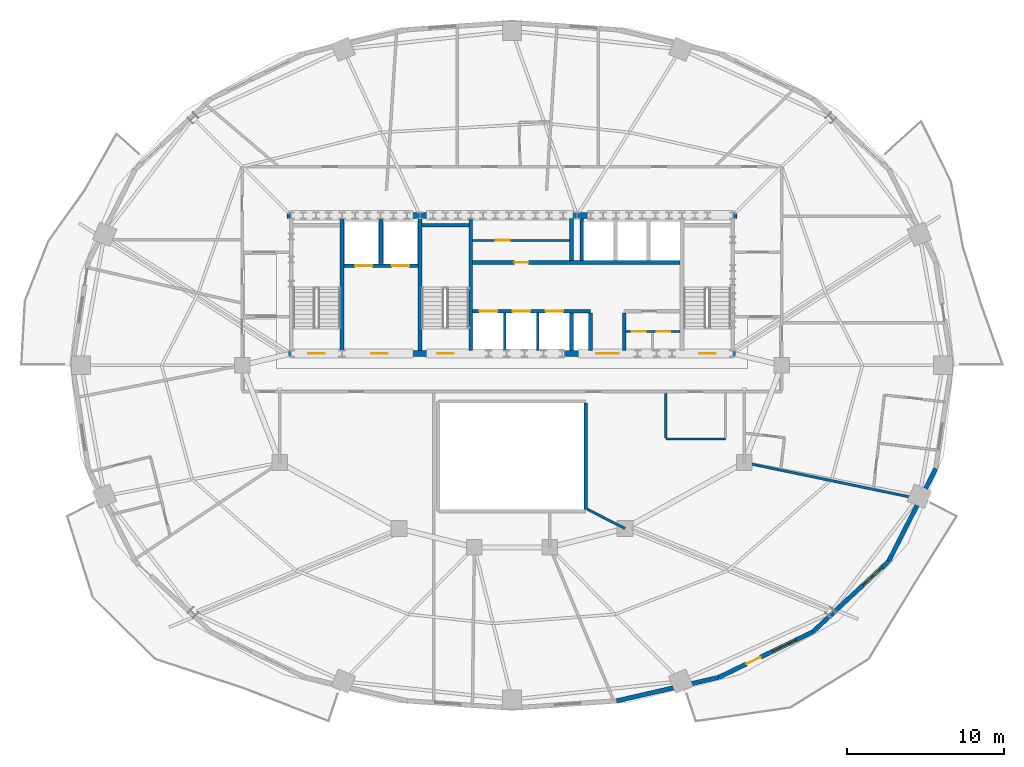
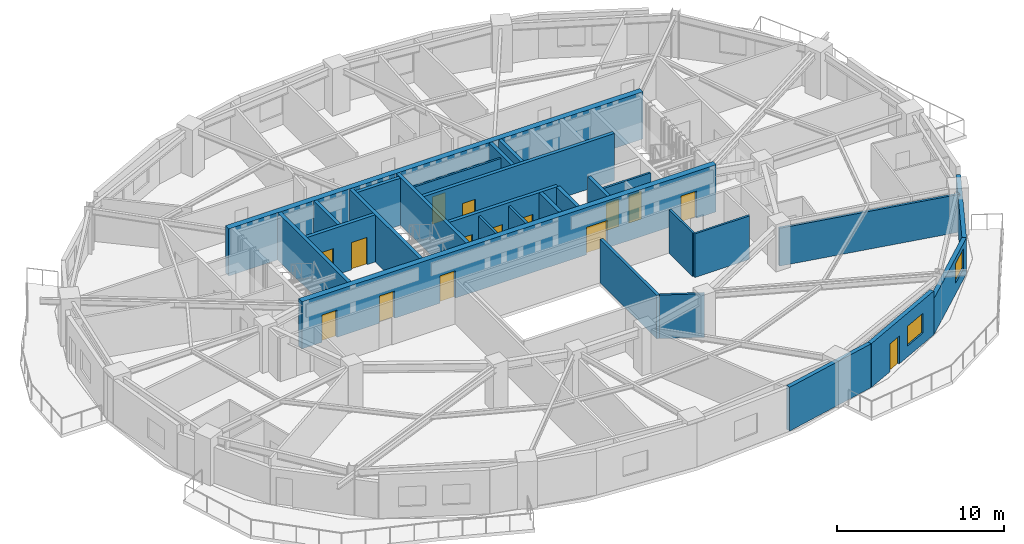
# One storey, part 5 of 10: 28 walls, 15 doors, 2 windows, 17 openings.
"""IFC4 building model written with IfcOpenShell, lengths in metres."""

from ifc_helpers import new_model, si_unit, direction, frame, frame_2d, origin, place, context, subcontext, project, spatial, rectangle, extrude, material, layer, layer_set, type_object, element, fill, save


model = new_model("IFC4")

# Units and contexts
model_context = context("Model", 3, precision=1e-05, world=origin(), true_north=direction((0.0, 1.0)))
body_context = subcontext(model_context, "Body", "Model", "MODEL_VIEW")
ifc_project = project(units=[si_unit("LENGTHUNIT", "METRE"), si_unit("AREAUNIT", "SQUARE_METRE"), si_unit("VOLUMEUNIT", "CUBIC_METRE"), si_unit("PLANEANGLEUNIT", "RADIAN"), si_unit("MASSUNIT", "GRAM", prefix="KILO")], contexts=[model_context])

# Site, building, storey
site_placement = place(None, origin())
site = spatial("IfcSite", under=ifc_project, at=site_placement, CompositionType="ELEMENT")
building_placement = place(site_placement, origin())
building = spatial("IfcBuilding", under=site, at=building_placement, Name="Haldorwick Loom Tower", CompositionType="ELEMENT")
storey_placement = place(building_placement, frame((0.0, 0.0, 193.449951171875)))
storey = spatial("IfcBuildingStorey", under=building, at=storey_placement, Name="L52", CompositionType="ELEMENT", Elevation=193.449951171875)

# Wall
ifc_material_1 = material(Name="Pressed Clay Face Brick and Insulated Masonry Backup Assembly", Category="masonry")
ifc_layer_1 = layer(ifc_material_1, 0.280029296875, Name="Pressed Clay Face Brick and Insulated Masonry Backup Assembly", Category="masonry")
ifc_layer_set_1 = layer_set([ifc_layer_1], Name="Pressed Clay Face Brick and Insulated Masonry Backup Assembly")
wall_type_1 = type_object("IfcWallType", Name="ARC-WL-EXT280", PredefinedType="STANDARD", material=ifc_layer_set_1)
wall_1_placement = place(storey_placement, frame((42.665283203125, 4.61279296875, 0.0), z_axis=(0.0, 0.0, 1.0), x_axis=(0.974557343474, 0.224138315065, 0.0)))
element("IfcWall", 1, at=wall_1_placement, inside=storey, type_object=wall_type_1, Name="L52 Brick Pier and Spandrel Wall 20", PredefinedType="STANDARD", context=body_context, shape_type="SweptSolid", body=[
    extrude(rectangle(XDim=6.676025390625, YDim=0.280029296875, at=frame_2d((3.337890625, 0.0))), origin(), (0.0, 0.0, 1.0), 3.2099609375),
])

# Wall, openings, door, window
wall_2_placement = place(storey_placement, frame((49.17138671875, 6.109130859375, 0.0), z_axis=(0.0, 0.0, 1.0), x_axis=(0.900371236029, 0.435122554381, 0.0)))
wall_2 = element("IfcWall", 2, at=wall_2_placement, inside=storey, type_object=wall_type_1, Name="L52 Brick Pier and Spandrel Wall 21", PredefinedType="STANDARD", context=body_context, shape_type="SweptSolid", body=[
    extrude(rectangle(XDim=6.6533203125, YDim=0.280029296875, at=frame_2d((3.32666015625, 0.0))), origin(), (0.0, 0.0, 1.0), 3.2099609375),
])
opening_1_placement = place(wall_2_placement, frame((1.96435546875, 0.0, 0.0)))
opening_1 = element("IfcOpeningElement", 3, at=opening_1_placement, cuts=wall_2, Name="Opening D-BL10", PredefinedType="OPENING", context=body_context, shape_type="SweptSolid", body=[
    extrude(rectangle(XDim=1.0, YDim=2.0400390625, at=frame_2d((0.5, 1.02001953125))), frame((0.0, 0.14990234375, 0.0), z_axis=(0.0, -1.0, 0.0), x_axis=(1.0, 0.0, 0.0)), (0.0, 0.0, 1.0), 0.300048828125),
])
opening_2_placement = place(wall_2_placement, frame((3.832275390625, 0.0, 0.800048828125)))
opening_2 = element("IfcOpeningElement", 4, at=opening_2_placement, cuts=wall_2, Name="Opening W-01B", PredefinedType="OPENING", context=body_context, shape_type="SweptSolid", body=[
    extrude(rectangle(XDim=1.64990234375, YDim=1.449951171875, at=frame_2d((0.824951171875, 0.72509765625))), frame((0.0, 0.14990234375, 0.0), z_axis=(0.0, -1.0, 0.0), x_axis=(1.0, 0.0, 0.0)), (0.0, 0.0, 1.0), 0.300048828125),
])
ifc_material_2 = material(Name="Thermally Broken Anodized Aluminium Curtain Wall Framing", Category="aluminium")
door_type_1 = type_object("IfcDoorType", Name="ARC-DR-BAL100", OperationType="NOTDEFINED", PredefinedType="DOOR", material=ifc_material_2)
door_1_placement = place(opening_1_placement, origin())
door_1 = element("IfcDoor", 5, at=door_1_placement, inside=storey, type_object=door_type_1, Name="L52 Outdoor Terrace Door SLB-L52-BAL_SE", OperationType="SINGLE_SWING_RIGHT", OverallHeight=2.0400390625, OverallWidth=1.0, PredefinedType="DOOR", context=body_context, shape_type="SweptSolid", body=[
    extrude(rectangle(XDim=1.0, YDim=2.0400390625, at=frame_2d((0.5, 1.02001953125))), frame((0.0, 0.02490234375, 0.0), z_axis=(0.0, -1.0, 0.0), x_axis=(1.0, 0.0, 0.0)), (0.0, 0.0, 1.0), 0.050048828125),
])
fill(opening_1, door_1)
ifc_material_3 = material(Name="Triple-Glazed Low-E Argon Insulated Glazing Unit", Category="glass")
window_type = type_object("IfcWindowType", Name="ARC-WIN-W165", PartitioningType="SINGLE_PANEL", PredefinedType="WINDOW", material=ifc_material_3)
window_1_placement = place(opening_2_placement, origin())
window_1 = element("IfcWindow", 6, at=window_1_placement, inside=storey, type_object=window_type, Name="L52 Deep-Set Zone 7A Window 21", OverallHeight=1.449951171875, OverallWidth=1.64990234375, PartitioningType="SINGLE_PANEL", PredefinedType="WINDOW", context=body_context, shape_type="SweptSolid", body=[
    extrude(rectangle(XDim=1.64990234375, YDim=1.449951171875, at=frame_2d((0.824951171875, 0.72509765625))), frame((0.0, 0.030029296875, 0.0), z_axis=(0.0, -1.0, 0.0), x_axis=(1.0, 0.0, 0.0)), (0.0, 0.0, 1.0), 0.06005859375),
])
fill(opening_2, window_1)

# Wall, opening, window
wall_3_placement = place(storey_placement, frame((55.161865234375, 9.004150390625, 0.0), z_axis=(0.0, 0.0, 1.0), x_axis=(0.731833707499, 0.681483253329, 0.0)))
wall_3 = element("IfcWall", 7, at=wall_3_placement, inside=storey, type_object=wall_type_1, Name="L52 Brick Pier and Spandrel Wall 22", PredefinedType="STANDARD", context=body_context, shape_type="SweptSolid", body=[
    extrude(rectangle(XDim=6.61865234375, YDim=0.280029296875, at=frame_2d((3.309326171875, 0.0))), origin(), (0.0, 0.0, 1.0), 2.64111328125),
])
opening_3_placement = place(wall_3_placement, frame((4.38720703125, 0.0, 0.800048828125)))
opening_3 = element("IfcOpeningElement", 8, at=opening_3_placement, cuts=wall_3, Name="Opening W-01B", PredefinedType="OPENING", context=body_context, shape_type="SweptSolid", body=[
    extrude(rectangle(XDim=1.64990234375, YDim=1.449951171875, at=frame_2d((0.824951171875, 0.72509765625))), frame((0.0, 0.14990234375, 0.0), z_axis=(0.0, -1.0, 0.0), x_axis=(1.0, 0.0, 0.0)), (0.0, 0.0, 1.0), 0.300048828125),
])
window_2_placement = place(opening_3_placement, origin())
window_2 = element("IfcWindow", 9, at=window_2_placement, inside=storey, type_object=window_type, Name="L52 Deep-Set Zone 7A Window 22", OverallHeight=1.449951171875, OverallWidth=1.64990234375, PartitioningType="SINGLE_PANEL", PredefinedType="WINDOW", context=body_context, shape_type="SweptSolid", body=[
    extrude(rectangle(XDim=1.64990234375, YDim=1.449951171875, at=frame_2d((0.824951171875, 0.72509765625))), frame((0.0, 0.030029296875, 0.0), z_axis=(0.0, -1.0, 0.0), x_axis=(1.0, 0.0, 0.0)), (0.0, 0.0, 1.0), 0.06005859375),
])
fill(opening_3, window_2)

# Walls
wall_4_placement = place(storey_placement, frame((60.005615234375, 13.5146484375, 0.0), z_axis=(0.0, 0.0, 1.0), x_axis=(0.453032066879, 0.89149422117, 0.0)))
element("IfcWall", 10, at=wall_4_placement, inside=storey, type_object=wall_type_1, Name="L52 Brick Pier and Spandrel Wall 23", PredefinedType="STANDARD", context=body_context, shape_type="SweptSolid", body=[
    extrude(rectangle(XDim=6.618896484375, YDim=0.280029296875, at=frame_2d((3.3095703125, 0.0))), origin(), (0.0, 0.0, 1.0), 2.64111328125),
])
ifc_material_4 = material(Name="Fire-Rated Type X Gypsum Stud Assembly EI 60")
ifc_layer_2 = layer(ifc_material_4, 0.159912109375, Name="Fire-Rated Type X Gypsum Stud Assembly EI 60")
ifc_layer_set_2 = layer_set([ifc_layer_2], Name="Fire-Rated Type X Gypsum Stud Assembly EI 60")
wall_type_2 = type_object("IfcWallType", Name="ARC-WL-FIRE160", PredefinedType="PARTITIONING", material=ifc_layer_set_2)
wall_5_placement = place(storey_placement, frame((50.800048828125, 19.800048828125, 0.0), z_axis=(0.0, 0.0, 1.0), x_axis=(0.979117284222, -0.203296197056, 0.0)))
element("IfcWall", 11, at=wall_5_placement, inside=storey, type_object=wall_type_2, Name="L52 Residential Fire Partition L52-ICR-02", PredefinedType="PARTITIONING", context=body_context, shape_type="SweptSolid", body=[
    extrude(rectangle(XDim=11.40869140625, YDim=0.159912109375, at=frame_2d((5.704345703125, 0.0))), origin(), (0.0, 0.0, 1.0), 2.77197265625),
])
wall_6_placement = place(storey_placement, frame((40.802978515625, 16.822021484375, 0.0), z_axis=(0.0, 0.0, 1.0), x_axis=(0.890915506237, -0.454169088278, 0.0)))
element("IfcWall", 12, at=wall_6_placement, inside=storey, type_object=wall_type_2, Name="L52 Residential Fire Partition L52-ICA-03", PredefinedType="PARTITIONING", context=body_context, shape_type="SweptSolid", body=[
    extrude(rectangle(XDim=2.6904296875, YDim=0.159912109375, at=frame_2d((1.34521484375, 0.0))), origin(), (0.0, 0.0, 1.0), 3.195068359375),
])
ifc_material_5 = material(Name="Fire-Rated Type X Gypsum Stud Assembly EI 120")
ifc_layer_3 = layer(ifc_material_5, 0.199951171875, Name="Fire-Rated Type X Gypsum Stud Assembly EI 120")
ifc_layer_set_3 = layer_set([ifc_layer_3], Name="Fire-Rated Type X Gypsum Stud Assembly EI 120")
wall_type_3 = type_object("IfcWallType", Name="ARC-WL-FIRE200", PredefinedType="PARTITIONING", material=ifc_layer_set_3)
wall_7_placement = place(storey_placement, frame((40.699951171875, 23.596923828125, 0.0), z_axis=(0.0, 0.0, 1.0), x_axis=(0.0, -1.0, 0.0)))
element("IfcWall", 13, at=wall_7_placement, inside=storey, type_object=wall_type_3, Name="L52 Atrium Fire Enclosure Wall E", PredefinedType="PARTITIONING", context=body_context, shape_type="SweptSolid", body=[
    extrude(rectangle(XDim=6.7939453125, YDim=0.199951171875, at=frame_2d((3.39697265625, 0.0))), origin(), (0.0, 0.0, 1.0), 3.195068359375),
])

# Wall, opening, door
ifc_layer_4 = layer(ifc_material_4, 0.139892578125, Name="Fire-Rated Type X Gypsum Stud Assembly EI 60")
ifc_layer_set_4 = layer_set([ifc_layer_4], Name="Fire-Rated Type X Gypsum Stud Assembly EI 60")
wall_type_4 = type_object("IfcWallType", Name="ARC-WL-PART140", PredefinedType="PARTITIONING", material=ifc_layer_set_4)
wall_8_placement = place(storey_placement, frame((33.492919921875, 33.9599609375, 0.0), z_axis=(0.0, 0.0, 1.0), x_axis=(1.0, 0.0, 0.0)))
wall_8 = element("IfcWall", 14, at=wall_8_placement, inside=storey, type_object=wall_type_4, Name="L52 Alcove Partition", PredefinedType="PARTITIONING", context=body_context, shape_type="SweptSolid", body=[
    extrude(rectangle(XDim=6.18408203125, YDim=0.139892578125, at=frame_2d((3.092041015625, 0.0))), origin(), (0.0, 0.0, 1.0), 3.195068359375),
])
opening_4_placement = place(wall_8_placement, frame((1.45703125, 0.0, 0.0)))
opening_4 = element("IfcOpeningElement", 15, at=opening_4_placement, cuts=wall_8, Name="Opening D-FD60A", PredefinedType="OPENING", context=body_context, shape_type="SweptSolid", body=[
    extrude(rectangle(XDim=0.89990234375, YDim=2.0, at=frame_2d((0.449951171875, 1.0))), frame((0.0, 0.079833984375, 0.0), z_axis=(0.0, -1.0, 0.0), x_axis=(1.0, 0.0, 0.0)), (0.0, 0.0, 1.0), 0.159912109375),
])
ifc_material_6 = material(Name="Hollow Steel Fire Door Assembly", Category="steel")
door_type_2 = type_object("IfcDoorType", Name="ARC-DR-FD60-90", OperationType="NOTDEFINED", PredefinedType="DOOR", material=ifc_material_6)
door_2_placement = place(opening_4_placement, frame((0.89990234375, 0.0, 0.0), z_axis=(0.0, 0.0, 1.0), x_axis=(-1.0, 0.0, 0.0)))
door_2 = element("IfcDoor", 16, at=door_2_placement, inside=storey, type_object=door_type_2, Name="L52 Trunk Store Door", OperationType="SINGLE_SWING_LEFT", OverallHeight=2.0, OverallWidth=0.89990234375, PredefinedType="DOOR", context=body_context, shape_type="SweptSolid", body=[
    extrude(rectangle(XDim=0.89990234375, YDim=2.0, at=frame_2d((0.449951171875, 1.0))), frame((0.0, 0.02490234375, 0.0), z_axis=(0.0, -1.0, 0.0), x_axis=(1.0, 0.0, 0.0)), (0.0, 0.0, 1.0), 0.050048828125),
])
fill(opening_4, door_2)

# Wall, openings, doors
wall_9_placement = place(storey_placement, frame((43.27294921875, 28.159912109375, 0.0), z_axis=(0.0, 0.0, 1.0), x_axis=(1.0, 0.0, 0.0)))
wall_9 = element("IfcWall", 17, at=wall_9_placement, inside=storey, type_object=wall_type_4, Name="L52 Telecom Partition", PredefinedType="PARTITIONING", context=body_context, shape_type="SweptSolid", body=[
    extrude(rectangle(XDim=3.43408203125, YDim=0.139892578125, at=frame_2d((1.717041015625, 0.0))), origin(), (0.0, 0.0, 1.0), 3.195068359375),
])
opening_5_placement = place(wall_9_placement, frame((0.366943359375, 0.0, 0.0)))
opening_5 = element("IfcOpeningElement", 18, at=opening_5_placement, cuts=wall_9, Name="Opening D-BT88", PredefinedType="OPENING", context=body_context, shape_type="SweptSolid", body=[
    extrude(rectangle(XDim=0.8798828125, YDim=2.02001953125, at=frame_2d((0.43994140625, 1.010009765625))), frame((0.0, 0.079833984375, 0.0), z_axis=(0.0, -1.0, 0.0), x_axis=(1.0, 0.0, 0.0)), (0.0, 0.0, 1.0), 0.159912109375),
])
opening_6_placement = place(wall_9_placement, frame((1.93701171875, 0.0, 0.0)))
opening_6 = element("IfcOpeningElement", 19, at=opening_6_placement, cuts=wall_9, Name="Opening D-BT88", PredefinedType="OPENING", context=body_context, shape_type="SweptSolid", body=[
    extrude(rectangle(XDim=0.8798828125, YDim=2.02001953125, at=frame_2d((0.43994140625, 1.010009765625))), frame((0.0, 0.079833984375, 0.0), z_axis=(0.0, -1.0, 0.0), x_axis=(1.0, 0.0, 0.0)), (0.0, 0.0, 1.0), 0.159912109375),
])
ifc_material_7 = material(Name="Solid Core Birch Architectural Door")
door_type_3 = type_object("IfcDoorType", Name="ARC-DR-BATH88", OperationType="NOTDEFINED", PredefinedType="DOOR", material=ifc_material_7)
door_3_placement = place(opening_5_placement, origin())
door_3 = element("IfcDoor", 20, at=door_3_placement, inside=storey, type_object=door_type_3, Name="L52 Telecom Room Door", OperationType="SINGLE_SWING_LEFT", OverallHeight=2.02001953125, OverallWidth=0.8798828125, PredefinedType="DOOR", context=body_context, shape_type="SweptSolid", body=[
    extrude(rectangle(XDim=0.8798828125, YDim=2.02001953125, at=frame_2d((0.43994140625, 1.010009765625))), frame((0.0, 0.02490234375, 0.0), z_axis=(0.0, -1.0, 0.0), x_axis=(1.0, 0.0, 0.0)), (0.0, 0.0, 1.0), 0.050048828125),
])
fill(opening_5, door_3)
door_4_placement = place(opening_6_placement, origin())
door_4 = element("IfcDoor", 21, at=door_4_placement, inside=storey, type_object=door_type_3, Name="L52 Metering Closet Door", OperationType="SINGLE_SWING_RIGHT", OverallHeight=2.02001953125, OverallWidth=0.8798828125, PredefinedType="DOOR", context=body_context, shape_type="SweptSolid", body=[
    extrude(rectangle(XDim=0.8798828125, YDim=2.02001953125, at=frame_2d((0.43994140625, 1.010009765625))), frame((0.0, 0.02490234375, 0.0), z_axis=(0.0, -1.0, 0.0), x_axis=(1.0, 0.0, 0.0)), (0.0, 0.0, 1.0), 0.050048828125),
])
fill(opening_6, door_4)

# Walls
wall_10_placement = place(storey_placement, frame((45.800048828125, 21.300048828125, 0.0), z_axis=(0.0, 0.0, 1.0), x_axis=(1.0, 0.0, 0.0)))
element("IfcWall", 22, at=wall_10_placement, inside=storey, type_object=wall_type_4, Name="L52 Residential Fire Partition L52-CWC-S", PredefinedType="PARTITIONING", context=body_context, shape_type="SweptSolid", body=[
    extrude(rectangle(XDim=3.800048828125, YDim=0.139892578125, at=frame_2d((1.89990234375, 0.0))), origin(), (0.0, 0.0, 1.0), 3.195068359375),
])
wall_11_placement = place(storey_placement, frame((45.800048828125, 21.373046875, 0.0), z_axis=(0.0, 0.0, 1.0), x_axis=(0.0, 1.0, 0.0)))
element("IfcWall", 23, at=wall_11_placement, inside=storey, type_object=wall_type_4, Name="L52 Residential Fire Partition L52-CWC-W", PredefinedType="PARTITIONING", context=body_context, shape_type="SweptSolid", body=[
    extrude(rectangle(XDim=2.843994140625, YDim=0.139892578125, at=frame_2d((1.421875, 0.0))), origin(), (0.0, 0.0, 1.0), 3.195068359375),
])
ifc_layer_5 = layer(ifc_material_5, 0.1650390625, Name="Fire-Rated Type X Gypsum Stud Assembly EI 120")
ifc_layer_set_5 = layer_set([ifc_layer_5], Name="Fire-Rated Type X Gypsum Stud Assembly EI 120")
wall_type_5 = type_object("IfcWallType", Name="ARC-WL-SHAFT160", PredefinedType="MOVABLE", material=ifc_layer_set_5)
for number, where, z_axis, x_axis, name in (
    (24, (35.550048828125, 26.952880859375, 0.0), (0.0, 0.0, 1.0), (0.0, 1.0, 0.0), "L52 Mid-Rise Hoistway Divider 1"),
    (25, (37.64990234375, 26.952880859375, 0.0), (0.0, 0.0, 1.0), (0.0, 1.0, 0.0), "L52 Mid-Rise Hoistway Divider 2"),
):
    element("IfcWall", number, at=place(storey_placement, frame(where, z_axis=z_axis, x_axis=x_axis)), inside=storey, type_object=wall_type_5, Name=name, PredefinedType="MOVABLE", context=body_context, shape_type="SweptSolid", body=[
        extrude(rectangle(XDim=2.3740234375, YDim=0.159912109375, at=frame_2d((1.18701171875, 0.0))), origin(), (0.0, 0.0, 1.0), 3.195068359375),
    ])

# Wall, openings, doors
ifc_material_8 = material(Name="Concrete C50 (50 MPa)", Category="concrete")
ifc_layer_6 = layer(ifc_material_8, 0.39990234375, Name="Concrete C50 (50 MPa)", Category="concrete")
ifc_layer_set_6 = layer_set([ifc_layer_6], Name="Concrete C50 (50 MPa)")
wall_type_6 = type_object("IfcWallType", Name="STR-WL-CORE400", PredefinedType="SHEAR", material=ifc_layer_set_6)
wall_12_placement = place(storey_placement, frame((21.64990234375, 26.75, 0.0), z_axis=(0.0, 0.0, 1.0), x_axis=(1.0, 0.0, 0.0)))
wall_12 = element("IfcWall", 26, at=wall_12_placement, inside=storey, type_object=wall_type_6, Name="L52 Core Shear Wall S", PredefinedType="SHEAR", context=body_context, shape_type="SweptSolid", body=[
    extrude(rectangle(XDim=28.7001953125, YDim=0.39990234375, at=frame_2d((14.35009765625, 0.0))), origin(), (0.0, 0.0, 1.0), 3.449951171875),
])
opening_7_placement = place(wall_12_placement, frame((1.375, 0.0, 0.0)))
opening_7 = element("IfcOpeningElement", 27, at=opening_7_placement, cuts=wall_12, Name="Opening D-FD60", PredefinedType="OPENING", context=body_context, shape_type="SweptSolid", body=[
    extrude(rectangle(XDim=1.050048828125, YDim=2.0, at=frame_2d((0.52490234375, 1.0))), frame((0.0, 0.2099609375, 0.0), z_axis=(0.0, -1.0, 0.0), x_axis=(1.0, 0.0, 0.0)), (0.0, 0.0, 1.0), 0.419921875),
])
opening_8_placement = place(wall_12_placement, frame((5.375, 0.0, 0.0)))
opening_8 = element("IfcOpeningElement", 28, at=opening_8_placement, cuts=wall_12, Name="Opening D-FD60", PredefinedType="OPENING", context=body_context, shape_type="SweptSolid", body=[
    extrude(rectangle(XDim=1.050048828125, YDim=2.0, at=frame_2d((0.52490234375, 1.0))), frame((0.0, 0.2099609375, 0.0), z_axis=(0.0, -1.0, 0.0), x_axis=(1.0, 0.0, 0.0)), (0.0, 0.0, 1.0), 0.419921875),
])
opening_9_placement = place(wall_12_placement, frame((9.574951171875, 0.0, 0.0)))
opening_9 = element("IfcOpeningElement", 29, at=opening_9_placement, cuts=wall_12, Name="Opening D-FD60", PredefinedType="OPENING", context=body_context, shape_type="SweptSolid", body=[
    extrude(rectangle(XDim=1.050048828125, YDim=2.0, at=frame_2d((0.52490234375, 1.0))), frame((0.0, 0.2099609375, 0.0), z_axis=(0.0, -1.0, 0.0), x_axis=(1.0, 0.0, 0.0)), (0.0, 0.0, 1.0), 0.419921875),
])
opening_10_placement = place(wall_12_placement, frame((19.705078125, 0.0, 0.0)))
opening_10 = element("IfcOpeningElement", 30, at=opening_10_placement, cuts=wall_12, Name="Opening D-LB15", PredefinedType="OPENING", context=body_context, shape_type="SweptSolid", body=[
    extrude(rectangle(XDim=1.449951171875, YDim=2.0, at=frame_2d((0.72509765625, 1.0))), frame((0.0, 0.2099609375, 0.0), z_axis=(0.0, -1.0, 0.0), x_axis=(1.0, 0.0, 0.0)), (0.0, 0.0, 1.0), 0.419921875),
])
opening_11_placement = place(wall_12_placement, frame((26.27490234375, 0.0, 0.0)))
opening_11 = element("IfcOpeningElement", 31, at=opening_11_placement, cuts=wall_12, Name="Opening D-FD60", PredefinedType="OPENING", context=body_context, shape_type="SweptSolid", body=[
    extrude(rectangle(XDim=1.050048828125, YDim=2.0, at=frame_2d((0.52490234375, 1.0))), frame((0.0, 0.2099609375, 0.0), z_axis=(0.0, -1.0, 0.0), x_axis=(1.0, 0.0, 0.0)), (0.0, 0.0, 1.0), 0.419921875),
])
door_type_4 = type_object("IfcDoorType", Name="ARC-DR-FD60", OperationType="NOTDEFINED", PredefinedType="DOOR", material=ifc_material_6)
door_5_placement = place(opening_7_placement, origin())
door_5 = element("IfcDoor", 32, at=door_5_placement, inside=storey, type_object=door_type_4, Name="L52 Exit Stair ST-01 Fire Door", OperationType="SINGLE_SWING_RIGHT", OverallHeight=2.0, OverallWidth=1.050048828125, PredefinedType="DOOR", context=body_context, shape_type="SweptSolid", body=[
    extrude(rectangle(XDim=1.050048828125, YDim=2.0, at=frame_2d((0.52490234375, 1.0))), frame((0.0, 0.02490234375, 0.0), z_axis=(0.0, -1.0, 0.0), x_axis=(1.0, 0.0, 0.0)), (0.0, 0.0, 1.0), 0.050048828125),
])
fill(opening_7, door_5)
door_6_placement = place(opening_8_placement, origin())
door_6 = element("IfcDoor", 33, at=door_6_placement, inside=storey, type_object=door_type_4, Name="L52 Firefighting Lift Lobby Fire Door", OperationType="SINGLE_SWING_LEFT", OverallHeight=2.0, OverallWidth=1.050048828125, PredefinedType="DOOR", context=body_context, shape_type="SweptSolid", body=[
    extrude(rectangle(XDim=1.050048828125, YDim=2.0, at=frame_2d((0.52490234375, 1.0))), frame((0.0, 0.02490234375, 0.0), z_axis=(0.0, -1.0, 0.0), x_axis=(1.0, 0.0, 0.0)), (0.0, 0.0, 1.0), 0.050048828125),
])
fill(opening_8, door_6)
door_7_placement = place(opening_9_placement, origin())
door_7 = element("IfcDoor", 34, at=door_7_placement, inside=storey, type_object=door_type_4, Name="L52 Exit Stair ST-03 Fire Door", OperationType="SINGLE_SWING_LEFT", OverallHeight=2.0, OverallWidth=1.050048828125, PredefinedType="DOOR", context=body_context, shape_type="SweptSolid", body=[
    extrude(rectangle(XDim=1.050048828125, YDim=2.0, at=frame_2d((0.52490234375, 1.0))), frame((0.0, 0.02490234375, 0.0), z_axis=(0.0, -1.0, 0.0), x_axis=(1.0, 0.0, 0.0)), (0.0, 0.0, 1.0), 0.050048828125),
])
fill(opening_9, door_7)
door_8_placement = place(opening_11_placement, origin())
door_8 = element("IfcDoor", 35, at=door_8_placement, inside=storey, type_object=door_type_4, Name="L52 Exit Stair ST-02 Fire Door", OperationType="SINGLE_SWING_LEFT", OverallHeight=2.0, OverallWidth=1.050048828125, PredefinedType="DOOR", context=body_context, shape_type="SweptSolid", body=[
    extrude(rectangle(XDim=1.050048828125, YDim=2.0, at=frame_2d((0.52490234375, 1.0))), frame((0.0, 0.02490234375, 0.0), z_axis=(0.0, -1.0, 0.0), x_axis=(1.0, 0.0, 0.0)), (0.0, 0.0, 1.0), 0.050048828125),
])
fill(opening_11, door_8)
ifc_material_9 = material(Name="Thermally Broken Anodized Aluminium and Tempered Glass", Category="aluminium")
door_type_5 = type_object("IfcDoorType", Name="ARC-DR-LOB150", OperationType="NOTDEFINED", PredefinedType="DOOR", material=ifc_material_9)
door_9_placement = place(opening_10_placement, frame((1.449951171875, 0.0, 0.0), z_axis=(0.0, 0.0, 1.0), x_axis=(-1.0, 0.0, 0.0)))
door_9 = element("IfcDoor", 36, at=door_9_placement, inside=storey, type_object=door_type_5, Name="L52 Passenger Lift Lobby Fire Door", OperationType="DOUBLE_DOOR_SINGLE_SWING", OverallHeight=2.0, OverallWidth=1.449951171875, PredefinedType="DOOR", context=body_context, shape_type="SweptSolid", body=[
    extrude(rectangle(XDim=1.449951171875, YDim=2.0, at=frame_2d((0.72509765625, 1.0))), frame((0.0, 0.02490234375, 0.0), z_axis=(0.0, -1.0, 0.0), x_axis=(1.0, 0.0, 0.0)), (0.0, 0.0, 1.0), 0.050048828125),
])
fill(opening_10, door_9)

# Walls
wall_13_placement = place(storey_placement, frame((50.35009765625, 35.550048828125, 0.0), z_axis=(0.0, 0.0, 1.0), x_axis=(-1.0, 0.0, 0.0)))
element("IfcWall", 37, at=wall_13_placement, inside=storey, type_object=wall_type_6, Name="L52 Core Shear Wall N", PredefinedType="SHEAR", context=body_context, shape_type="SweptSolid", body=[
    extrude(rectangle(XDim=28.7001953125, YDim=0.39990234375, at=frame_2d((14.35009765625, 0.0))), origin(), (0.0, 0.0, 1.0), 3.449951171875),
])
ifc_layer_7 = layer(ifc_material_8, 0.239990234375, Name="Concrete C50 (50 MPa)", Category="concrete")
ifc_layer_set_7 = layer_set([ifc_layer_7], Name="Concrete C50 (50 MPa)")
wall_type_7 = type_object("IfcWallType", Name="STR-WL-SHAFT240", PredefinedType="SHEAR", material=ifc_layer_set_7)
for number, where, z_axis, x_axis, name in (
    (38, (25.169921875, 26.952880859375, 0.0), (0.0, 0.0, 1.0), (0.0, 1.0, 0.0), "L52 Core Shear Wall 1"),
    (39, (30.1298828125, 26.952880859375, 0.0), (0.0, 0.0, 1.0), (0.0, 1.0, 0.0), "L52 Core Shear Wall 2"),
    (40, (33.3701171875, 26.952880859375, 0.0), (0.0, 0.0, 1.0), (0.0, 1.0, 0.0), "L52 Core Shear Wall 3"),
):
    element("IfcWall", number, at=place(storey_placement, frame(where, z_axis=z_axis, x_axis=x_axis)), inside=storey, type_object=wall_type_7, Name=name, PredefinedType="SHEAR", context=body_context, shape_type="SweptSolid", body=[
        extrude(rectangle(XDim=8.39404296875, YDim=0.239990234375, at=frame_2d((4.197021484375, 0.0))), origin(), (0.0, 0.0, 1.0), 3.449951171875),
    ])
wall_14_placement = place(storey_placement, frame((30.2529296875, 34.919921875, 0.0), z_axis=(0.0, 0.0, 1.0), x_axis=(1.0, 0.0, 0.0)))
element("IfcWall", 41, at=wall_14_placement, inside=storey, type_object=wall_type_7, Name="L52 Core Shear Wall 3N", PredefinedType="SHEAR", context=body_context, shape_type="SweptSolid", body=[
    extrude(rectangle(XDim=2.994140625, YDim=0.239990234375, at=frame_2d((1.4970703125, 0.0))), origin(), (0.0, 0.0, 1.0), 3.449951171875),
])

# Wall, openings, doors
wall_15_placement = place(storey_placement, frame((25.29296875, 32.35009765625, 0.0), z_axis=(0.0, 0.0, 1.0), x_axis=(1.0, 0.0, 0.0)))
wall_15 = element("IfcWall", 42, at=wall_15_placement, inside=storey, type_object=wall_type_7, Name="L52 Core Shear Wall FF", PredefinedType="SHEAR", context=body_context, shape_type="SweptSolid", body=[
    extrude(rectangle(XDim=4.714111328125, YDim=0.239990234375, at=frame_2d((2.35693359375, 0.0))), origin(), (0.0, 0.0, 1.0), 3.449951171875),
])
opening_12_placement = place(wall_15_placement, frame((0.70703125, 0.0, 0.0)))
opening_12 = element("IfcOpeningElement", 43, at=opening_12_placement, cuts=wall_15, Name="Opening LD-FF1", PredefinedType="OPENING", context=body_context, shape_type="SweptSolid", body=[
    extrude(rectangle(XDim=1.10009765625, YDim=2.0, at=frame_2d((0.550048828125, 1.0))), frame((0.0, 0.1298828125, 0.0), z_axis=(0.0, -1.0, 0.0), x_axis=(1.0, 0.0, 0.0)), (0.0, 0.0, 1.0), 0.260009765625),
])
opening_13_placement = place(wall_15_placement, frame((3.056884765625, 0.0, 0.0)))
opening_13 = element("IfcOpeningElement", 44, at=opening_13_placement, cuts=wall_15, Name="Opening LD-FF2", PredefinedType="OPENING", context=body_context, shape_type="SweptSolid", body=[
    extrude(rectangle(XDim=1.10009765625, YDim=2.0, at=frame_2d((0.550048828125, 1.0))), frame((0.0, 0.1298828125, 0.0), z_axis=(0.0, -1.0, 0.0), x_axis=(1.0, 0.0, 0.0)), (0.0, 0.0, 1.0), 0.260009765625),
])
door_type_6 = type_object("IfcDoorType", Name="ARC-DR-LD-FF", OperationType="NOTDEFINED", PredefinedType="USERDEFINED", material=ifc_material_6)
door_10_placement = place(opening_12_placement, origin())
door_10 = element("IfcDoor", 45, at=door_10_placement, inside=storey, type_object=door_type_6, Name="L52 Lift LF-FF1 Sliding Landing Door", ObjectType="LANDING DOOR", OperationType="DOUBLE_DOOR_SLIDING", OverallHeight=2.0, OverallWidth=1.10009765625, PredefinedType="USERDEFINED", context=body_context, shape_type="SweptSolid", body=[
    extrude(rectangle(XDim=1.10009765625, YDim=2.0, at=frame_2d((0.550048828125, 1.0))), frame((0.0, 0.02490234375, 0.0), z_axis=(0.0, -1.0, 0.0), x_axis=(1.0, 0.0, 0.0)), (0.0, 0.0, 1.0), 0.050048828125),
])
fill(opening_12, door_10)
door_11_placement = place(opening_13_placement, origin())
door_11 = element("IfcDoor", 46, at=door_11_placement, inside=storey, type_object=door_type_6, Name="L52 Lift LF-FF2 Sliding Landing Door", ObjectType="LANDING DOOR", OperationType="DOUBLE_DOOR_SLIDING", OverallHeight=2.0, OverallWidth=1.10009765625, PredefinedType="USERDEFINED", context=body_context, shape_type="SweptSolid", body=[
    extrude(rectangle(XDim=1.10009765625, YDim=2.0, at=frame_2d((0.550048828125, 1.0))), frame((0.0, 0.02490234375, 0.0), z_axis=(0.0, -1.0, 0.0), x_axis=(1.0, 0.0, 0.0)), (0.0, 0.0, 1.0), 0.050048828125),
])
fill(opening_13, door_11)

# Wall
wall_16_placement = place(storey_placement, frame((27.64990234375, 32.472900390625, 0.0), z_axis=(0.0, 0.0, 1.0), x_axis=(0.0, 1.0, 0.0)))
element("IfcWall", 47, at=wall_16_placement, inside=storey, type_object=wall_type_7, Name="L52 Core Shear Wall FFD", PredefinedType="SHEAR", context=body_context, shape_type="SweptSolid", body=[
    extrude(rectangle(XDim=2.8740234375, YDim=0.239990234375, at=frame_2d((1.43701171875, 0.0))), origin(), (0.0, 0.0, 1.0), 3.449951171875),
])

# Wall, opening, door
wall_17_placement = place(storey_placement, frame((33.492919921875, 32.550048828125, 0.0), z_axis=(0.0, 0.0, 1.0), x_axis=(1.0, 0.0, 0.0)))
wall_17 = element("IfcWall", 48, at=wall_17_placement, inside=storey, type_object=wall_type_7, Name="L52 Core Shear Wall LN", PredefinedType="SHEAR", context=body_context, shape_type="SweptSolid", body=[
    extrude(rectangle(XDim=13.214111328125, YDim=0.239990234375, at=frame_2d((6.60693359375, 0.0))), origin(), (0.0, 0.0, 1.0), 3.449951171875),
])
opening_14_placement = place(wall_17_placement, frame((2.656982421875, 0.0, 0.0)))
opening_14 = element("IfcOpeningElement", 49, at=opening_14_placement, cuts=wall_17, Name="Opening D-FD60A", PredefinedType="OPENING", context=body_context, shape_type="SweptSolid", body=[
    extrude(rectangle(XDim=0.89990234375, YDim=2.0, at=frame_2d((0.449951171875, 1.0))), frame((0.0, 0.1298828125, 0.0), z_axis=(0.0, -1.0, 0.0), x_axis=(1.0, 0.0, 0.0)), (0.0, 0.0, 1.0), 0.260009765625),
])
door_12_placement = place(opening_14_placement, frame((0.89990234375, 0.0, 0.0), z_axis=(0.0, 0.0, 1.0), x_axis=(-1.0, 0.0, 0.0)))
door_12 = element("IfcDoor", 50, at=door_12_placement, inside=storey, type_object=door_type_2, Name="L52 Floor Equipment Door", OperationType="SINGLE_SWING_RIGHT", OverallHeight=2.0, OverallWidth=0.89990234375, PredefinedType="DOOR", context=body_context, shape_type="SweptSolid", body=[
    extrude(rectangle(XDim=0.89990234375, YDim=2.0, at=frame_2d((0.449951171875, 1.0))), frame((0.0, 0.02490234375, 0.0), z_axis=(0.0, -1.0, 0.0), x_axis=(1.0, 0.0, 0.0)), (0.0, 0.0, 1.0), 0.050048828125),
])
fill(opening_14, door_12)

# Wall, openings, doors
wall_18_placement = place(storey_placement, frame((33.492919921875, 29.449951171875, 0.0), z_axis=(0.0, 0.0, 1.0), x_axis=(1.0, 0.0, 0.0)))
wall_18 = element("IfcWall", 51, at=wall_18_placement, inside=storey, type_object=wall_type_7, Name="L52 Core Shear Wall LS1", PredefinedType="SHEAR", context=body_context, shape_type="SweptSolid", body=[
    extrude(rectangle(XDim=7.507080078125, YDim=0.239990234375, at=frame_2d((3.75341796875, 0.0))), origin(), (0.0, 0.0, 1.0), 3.449951171875),
])
opening_15_placement = place(wall_18_placement, frame((0.447021484375, 0.0, 0.0)))
opening_15 = element("IfcOpeningElement", 52, at=opening_15_placement, cuts=wall_18, Name="Opening LD-M1", PredefinedType="OPENING", context=body_context, shape_type="SweptSolid", body=[
    extrude(rectangle(XDim=1.1201171875, YDim=2.0, at=frame_2d((0.56005859375, 1.0))), frame((0.0, 0.1298828125, 0.0), z_axis=(0.0, -1.0, 0.0), x_axis=(1.0, 0.0, 0.0)), (0.0, 0.0, 1.0), 0.260009765625),
])
opening_16_placement = place(wall_18_placement, frame((2.547119140625, 0.0, 0.0)))
opening_16 = element("IfcOpeningElement", 53, at=opening_16_placement, cuts=wall_18, Name="Opening LD-M2", PredefinedType="OPENING", context=body_context, shape_type="SweptSolid", body=[
    extrude(rectangle(XDim=1.1201171875, YDim=2.0, at=frame_2d((0.56005859375, 1.0))), frame((0.0, 0.1298828125, 0.0), z_axis=(0.0, -1.0, 0.0), x_axis=(1.0, 0.0, 0.0)), (0.0, 0.0, 1.0), 0.260009765625),
])
opening_17_placement = place(wall_18_placement, frame((4.64697265625, 0.0, 0.0)))
opening_17 = element("IfcOpeningElement", 54, at=opening_17_placement, cuts=wall_18, Name="Opening LD-M3", PredefinedType="OPENING", context=body_context, shape_type="SweptSolid", body=[
    extrude(rectangle(XDim=1.1201171875, YDim=2.0, at=frame_2d((0.56005859375, 1.0))), frame((0.0, 0.1298828125, 0.0), z_axis=(0.0, -1.0, 0.0), x_axis=(1.0, 0.0, 0.0)), (0.0, 0.0, 1.0), 0.260009765625),
])
door_type_7 = type_object("IfcDoorType", Name="ARC-DR-LD-PAX", OperationType="NOTDEFINED", PredefinedType="USERDEFINED", material=ifc_material_6)
door_13_placement = place(opening_15_placement, origin())
door_13 = element("IfcDoor", 55, at=door_13_placement, inside=storey, type_object=door_type_7, Name="L52 Lift LF-M1 Sliding Landing Door", ObjectType="LANDING DOOR", OperationType="DOUBLE_DOOR_SLIDING", OverallHeight=2.0, OverallWidth=1.1201171875, PredefinedType="USERDEFINED", context=body_context, shape_type="SweptSolid", body=[
    extrude(rectangle(XDim=1.1201171875, YDim=2.0, at=frame_2d((0.56005859375, 1.0))), frame((0.0, 0.02490234375, 0.0), z_axis=(0.0, -1.0, 0.0), x_axis=(1.0, 0.0, 0.0)), (0.0, 0.0, 1.0), 0.050048828125),
])
fill(opening_15, door_13)
door_14_placement = place(opening_16_placement, origin())
door_14 = element("IfcDoor", 56, at=door_14_placement, inside=storey, type_object=door_type_7, Name="L52 Lift LF-M2 Sliding Landing Door", ObjectType="LANDING DOOR", OperationType="DOUBLE_DOOR_SLIDING", OverallHeight=2.0, OverallWidth=1.1201171875, PredefinedType="USERDEFINED", context=body_context, shape_type="SweptSolid", body=[
    extrude(rectangle(XDim=1.1201171875, YDim=2.0, at=frame_2d((0.56005859375, 1.0))), frame((0.0, 0.02490234375, 0.0), z_axis=(0.0, -1.0, 0.0), x_axis=(1.0, 0.0, 0.0)), (0.0, 0.0, 1.0), 0.050048828125),
])
fill(opening_16, door_14)
door_15_placement = place(opening_17_placement, origin())
door_15 = element("IfcDoor", 57, at=door_15_placement, inside=storey, type_object=door_type_7, Name="L52 Lift LF-M3 Sliding Landing Door", ObjectType="LANDING DOOR", OperationType="DOUBLE_DOOR_SLIDING", OverallHeight=2.0, OverallWidth=1.1201171875, PredefinedType="USERDEFINED", context=body_context, shape_type="SweptSolid", body=[
    extrude(rectangle(XDim=1.1201171875, YDim=2.0, at=frame_2d((0.56005859375, 1.0))), frame((0.0, 0.02490234375, 0.0), z_axis=(0.0, -1.0, 0.0), x_axis=(1.0, 0.0, 0.0)), (0.0, 0.0, 1.0), 0.050048828125),
])
fill(opening_17, door_15)

# Walls
for number, where, z_axis, x_axis, name in (
    (58, (41.0, 26.952880859375, 0.0), (0.0, 0.0, 1.0), (0.0, 1.0, 0.0), "L52 Core Shear Wall THW"),
    (59, (43.14990234375, 26.952880859375, 0.0), (0.0, 0.0, 1.0), (0.0, 1.0, 0.0), "L52 Core Shear Wall THE"),
):
    element("IfcWall", number, at=place(storey_placement, frame(where, z_axis=z_axis, x_axis=x_axis)), inside=storey, type_object=wall_type_7, Name=name, PredefinedType="SHEAR", context=body_context, shape_type="SweptSolid", body=[
        extrude(rectangle(XDim=2.3740234375, YDim=0.239990234375, at=frame_2d((1.18701171875, 0.0))), origin(), (0.0, 0.0, 1.0), 3.449951171875),
    ])
for number, where, z_axis, x_axis, name in (
    (60, (39.800048828125, 32.673095703125, 0.0), (0.0, 0.0, 1.0), (0.0, 1.0, 0.0), "L52 Core Shear Wall LHW"),
    (61, (40.449951171875, 32.673095703125, 0.0), (0.0, 0.0, 1.0), (0.0, 1.0, 0.0), "L52 Core Shear Wall H0"),
):
    element("IfcWall", number, at=place(storey_placement, frame(where, z_axis=z_axis, x_axis=x_axis)), inside=storey, type_object=wall_type_7, Name=name, PredefinedType="SHEAR", context=body_context, shape_type="SweptSolid", body=[
        extrude(rectangle(XDim=2.673828125, YDim=0.239990234375, at=frame_2d((1.3369140625, 0.0))), origin(), (0.0, 0.0, 1.0), 3.449951171875),
    ])
wall_19_placement = place(storey_placement, frame((39.800048828125, 26.952880859375, 0.0), z_axis=(0.0, 0.0, 1.0), x_axis=(0.0, 1.0, 0.0)))
element("IfcWall", 62, at=wall_19_placement, inside=storey, type_object=wall_type_7, Name="L52 Core Shear Wall MRW", PredefinedType="SHEAR", context=body_context, shape_type="SweptSolid", body=[
    extrude(rectangle(XDim=2.3740234375, YDim=0.239990234375, at=frame_2d((1.18701171875, 0.0))), origin(), (0.0, 0.0, 1.0), 3.449951171875),
])

save(model, "model.ifc")
